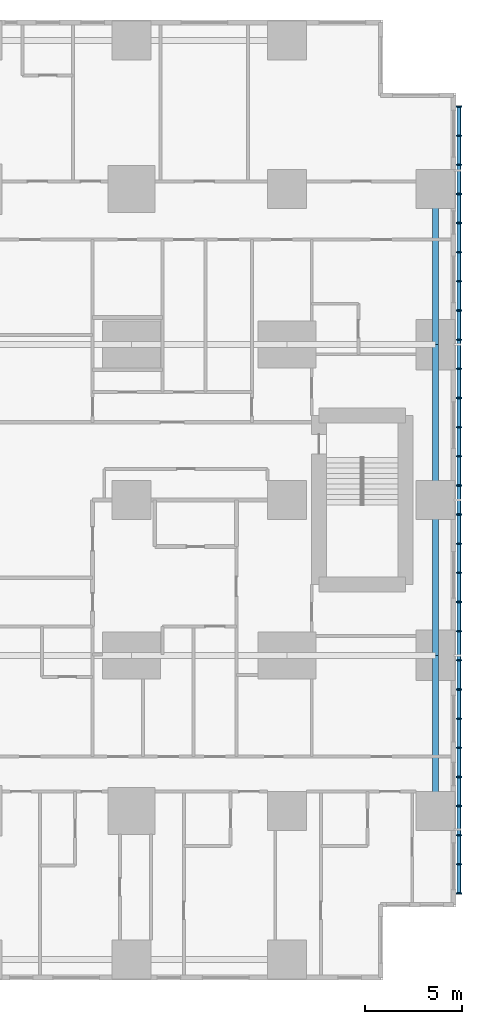
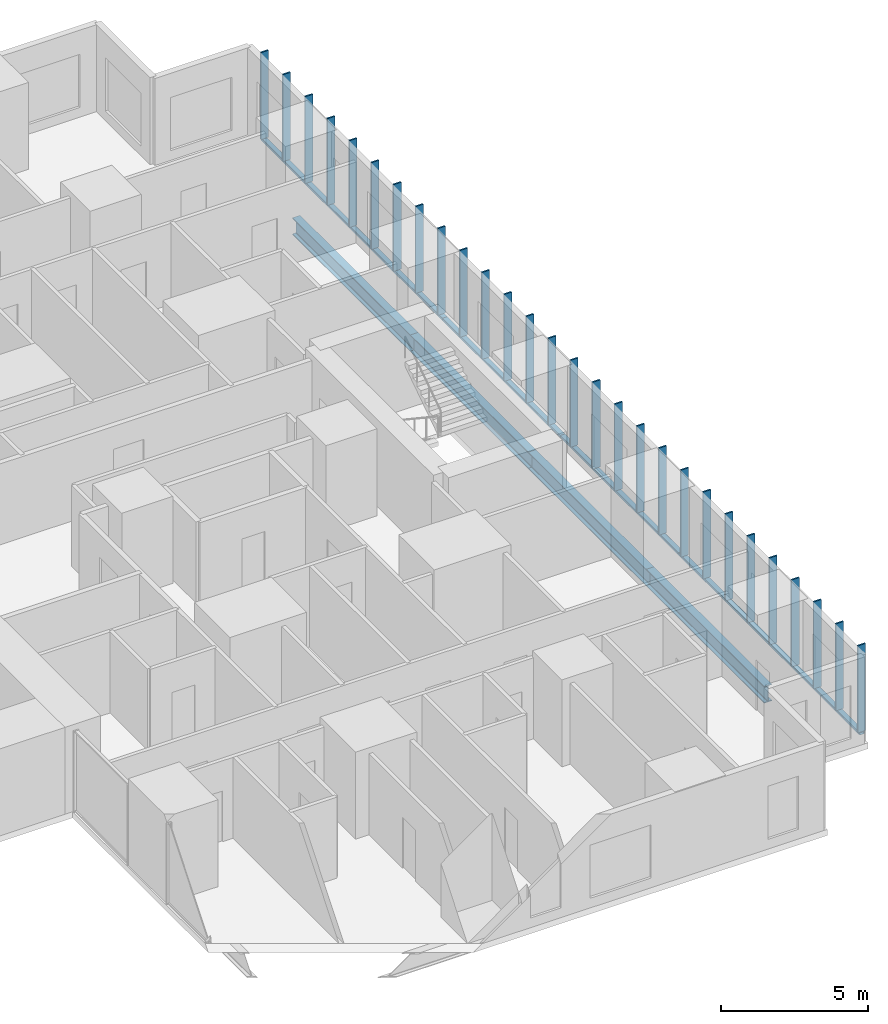
# One storey, part 6 of 21: 32 members, 4 beams.
"""IFC4 building model written with IfcOpenShell, lengths in metres."""

from ifc_helpers import new_model, si_unit, direction, frame, origin, origin_2d, place, context, subcontext, project, spatial, rectangle, hollow_rectangle, i_section, extrude, material, material_profile, profile_set, type_object, element, save


model = new_model("IFC4")

# Units and contexts
model_context = context("Model", 3, precision=1e-05, world=origin(), true_north=direction((0.0, 1.0)))
body_context = subcontext(model_context, "Body", "Model", "MODEL_VIEW")
ifc_project = project(units=[si_unit("LENGTHUNIT", "METRE"), si_unit("AREAUNIT", "SQUARE_METRE"), si_unit("VOLUMEUNIT", "CUBIC_METRE"), si_unit("PLANEANGLEUNIT", "RADIAN"), si_unit("MASSUNIT", "GRAM", prefix="KILO")], contexts=[model_context])

# Site, building, storey
site_placement = place(None, origin())
site = spatial("IfcSite", under=ifc_project, at=site_placement, CompositionType="ELEMENT")
building_placement = place(site_placement, origin())
building = spatial("IfcBuilding", under=site, at=building_placement, Name="Cleftline Residences", CompositionType="ELEMENT")
storey_placement = place(building_placement, frame((0.0, 0.0, 125.0)))
storey = spatial("IfcBuildingStorey", under=building, at=storey_placement, Name="L32", CompositionType="ELEMENT", Elevation=125.0)

# Members
ifc_material_1 = material(Name="Steel S355, hot-dip galvanised", Category="steel")
ifc_material_profile_1 = material_profile(ifc_material_1, hollow_rectangle(XDim=0.10009765625, YDim=0.199951171875, WallThickness=0.008056640625, InnerFilletRadius=0.008056640625, OuterFilletRadius=0.011962890625, at=origin_2d()))
ifc_profile_set_1 = profile_set([ifc_material_profile_1], Name="Steel S355, hot-dip galvanised")
member_type_1 = type_object("IfcMemberType", Name="BAGUETTE CARRIER RHS 200X100X8", PredefinedType="USERDEFINED", material=ifc_profile_set_1)
member_1_placement = place(storey_placement, frame((66.85009765625, 3.699951171875, -0.050048828125), z_axis=(0.0, 1.0, 0.0), x_axis=(0.0, 0.0, 1.0)))
element("IfcMember", 1, at=member_1_placement, inside=storey, type_object=member_type_1, Name="Baguette carrier", ObjectType="BAGUETTE CARRIER", PredefinedType="USERDEFINED", context=body_context, shape_type="SweptSolid", body=[
    extrude(hollow_rectangle(XDim=0.10009765625, YDim=0.199951171875, WallThickness=0.008056640625, InnerFilletRadius=0.008056640625, OuterFilletRadius=0.011962890625, at=origin_2d()), origin(), (0.0, 0.0, 1.0), 12.300048828125),
])
for number, where, z_axis, x_axis, name in (
    (2, (66.85009765625, 16.0, -0.050048828125), (0.0, 1.0, 0.0), (0.0, 0.0, 1.0), "Baguette carrier"),
    (3, (66.85009765625, 24.0, -0.050048828125), (0.0, 1.0, 0.0), (0.0, 0.0, 1.0), "Baguette carrier"),
):
    element("IfcMember", number, at=place(storey_placement, frame(where, z_axis=z_axis, x_axis=x_axis)), inside=storey, type_object=member_type_1, Name=name, ObjectType="BAGUETTE CARRIER", PredefinedType="USERDEFINED", context=body_context, shape_type="SweptSolid", body=[
        extrude(hollow_rectangle(XDim=0.10009765625, YDim=0.199951171875, WallThickness=0.008056640625, InnerFilletRadius=0.008056640625, OuterFilletRadius=0.011962890625, at=origin_2d()), origin(), (0.0, 0.0, 1.0), 8.0),
    ])
member_2_placement = place(storey_placement, frame((66.85009765625, 32.0, -0.050048828125), z_axis=(0.0, 1.0, 0.0), x_axis=(0.0, 0.0, 1.0)))
element("IfcMember", 4, at=member_2_placement, inside=storey, type_object=member_type_1, Name="Baguette carrier", ObjectType="BAGUETTE CARRIER", PredefinedType="USERDEFINED", context=body_context, shape_type="SweptSolid", body=[
    extrude(hollow_rectangle(XDim=0.10009765625, YDim=0.199951171875, WallThickness=0.008056640625, InnerFilletRadius=0.008056640625, OuterFilletRadius=0.011962890625, at=origin_2d()), origin(), (0.0, 0.0, 1.0), 12.300048828125),
])

# Beams
ifc_material_2 = material(Name="Steel S355", Category="steel")
ifc_material_profile_2 = material_profile(ifc_material_2, i_section(OverallWidth=0.300048828125, OverallDepth=0.699951171875, WebThickness=0.01708984375, FlangeThickness=0.031982421875, FilletRadius=0.027099609375, at=origin_2d()))
ifc_profile_set_2 = profile_set([ifc_material_profile_2], Name="Steel S355")
beam_type = type_object("IfcBeamType", Name="BEAM HEB 700", PredefinedType="BEAM", material=ifc_profile_set_2)
for number, where, z_axis, x_axis, name in (
    (5, (65.64990234375, 8.0, -0.60009765625), (0.0, 1.0, 0.0), (-1.0, 0.0, 0.0), "Edge beam"),
    (6, (65.64990234375, 16.0, -0.60009765625), (0.0, 1.0, 0.0), (-1.0, 0.0, 0.0), "Edge beam"),
    (7, (65.64990234375, 24.0, -0.60009765625), (0.0, 1.0, 0.0), (-1.0, 0.0, 0.0), "Edge beam"),
    (8, (65.64990234375, 32.0, -0.60009765625), (0.0, 1.0, 0.0), (-1.0, 0.0, 0.0), "Edge beam"),
):
    element("IfcBeam", number, at=place(storey_placement, frame(where, z_axis=z_axis, x_axis=x_axis)), inside=storey, type_object=beam_type, Name=name, PredefinedType="BEAM", context=body_context, shape_type="SweptSolid", body=[
        extrude(i_section(OverallWidth=0.300048828125, OverallDepth=0.699951171875, WebThickness=0.01708984375, FlangeThickness=0.031982421875, FilletRadius=0.027099609375, at=origin_2d()), origin(), (0.0, 0.0, 1.0), 8.0),
    ])

# Members
ifc_material_3 = material(Name="Extruded terracotta", Category="masonry")
ifc_material_profile_3 = material_profile(ifc_material_3, rectangle(XDim=0.06005859375, YDim=0.300048828125, at=origin_2d()))
ifc_profile_set_3 = profile_set([ifc_material_profile_3], Name="Extruded terracotta")
member_type_2 = type_object("IfcMemberType", Name="TERRACOTTA BAGUETTE 60X300", PredefinedType="USERDEFINED", material=ifc_profile_set_3)
for number, where, z_axis, x_axis, name in (
    (9, (66.85009765625, 3.75, 0.0), (0.0, 0.0, 1.0), (0.0, 1.0, 0.0), "Terracotta baguette"),
    (10, (66.85009765625, 5.25, 0.0), (0.0, 0.0, 1.0), (0.0, 1.0, 0.0), "Terracotta baguette"),
    (11, (66.85009765625, 6.75, 0.0), (0.0, 0.0, 1.0), (0.0, 1.0, 0.0), "Terracotta baguette"),
    (12, (66.85009765625, 8.25, 0.0), (0.0, 0.0, 1.0), (0.0, 1.0, 0.0), "Terracotta baguette"),
    (13, (66.85009765625, 9.75, 0.0), (0.0, 0.0, 1.0), (0.0, 1.0, 0.0), "Terracotta baguette"),
    (14, (66.85009765625, 11.25, 0.0), (0.0, 0.0, 1.0), (0.0, 1.0, 0.0), "Terracotta baguette"),
    (15, (66.85009765625, 12.75, 0.0), (0.0, 0.0, 1.0), (0.0, 1.0, 0.0), "Terracotta baguette"),
    (16, (66.85009765625, 14.25, 0.0), (0.0, 0.0, 1.0), (0.0, 1.0, 0.0), "Terracotta baguette"),
    (17, (66.85009765625, 15.75, 0.0), (0.0, 0.0, 1.0), (0.0, 1.0, 0.0), "Terracotta baguette"),
    (18, (66.85009765625, 17.25, 0.0), (0.0, 0.0, 1.0), (0.0, 1.0, 0.0), "Terracotta baguette"),
    (19, (66.85009765625, 18.75, 0.0), (0.0, 0.0, 1.0), (0.0, 1.0, 0.0), "Terracotta baguette"),
    (20, (66.85009765625, 20.25, 0.0), (0.0, 0.0, 1.0), (0.0, 1.0, 0.0), "Terracotta baguette"),
    (21, (66.85009765625, 21.75, 0.0), (0.0, 0.0, 1.0), (0.0, 1.0, 0.0), "Terracotta baguette"),
    (22, (66.85009765625, 23.25, 0.0), (0.0, 0.0, 1.0), (0.0, 1.0, 0.0), "Terracotta baguette"),
    (23, (66.85009765625, 24.75, 0.0), (0.0, 0.0, 1.0), (0.0, 1.0, 0.0), "Terracotta baguette"),
    (24, (66.85009765625, 26.25, 0.0), (0.0, 0.0, 1.0), (0.0, 1.0, 0.0), "Terracotta baguette"),
    (25, (66.85009765625, 27.75, 0.0), (0.0, 0.0, 1.0), (0.0, 1.0, 0.0), "Terracotta baguette"),
    (26, (66.85009765625, 29.25, 0.0), (0.0, 0.0, 1.0), (0.0, 1.0, 0.0), "Terracotta baguette"),
    (27, (66.85009765625, 30.75, 0.0), (0.0, 0.0, 1.0), (0.0, 1.0, 0.0), "Terracotta baguette"),
    (28, (66.85009765625, 32.25, 0.0), (0.0, 0.0, 1.0), (0.0, 1.0, 0.0), "Terracotta baguette"),
    (29, (66.85009765625, 33.75, 0.0), (0.0, 0.0, 1.0), (0.0, 1.0, 0.0), "Terracotta baguette"),
    (30, (66.85009765625, 35.25, 0.0), (0.0, 0.0, 1.0), (0.0, 1.0, 0.0), "Terracotta baguette"),
    (31, (66.85009765625, 36.75, 0.0), (0.0, 0.0, 1.0), (0.0, 1.0, 0.0), "Terracotta baguette"),
    (32, (66.85009765625, 38.25, 0.0), (0.0, 0.0, 1.0), (0.0, 1.0, 0.0), "Terracotta baguette"),
    (33, (66.85009765625, 39.75, 0.0), (0.0, 0.0, 1.0), (0.0, 1.0, 0.0), "Terracotta baguette"),
    (34, (66.85009765625, 41.25, 0.0), (0.0, 0.0, 1.0), (0.0, 1.0, 0.0), "Terracotta baguette"),
    (35, (66.85009765625, 42.75, 0.0), (0.0, 0.0, 1.0), (0.0, 1.0, 0.0), "Terracotta baguette"),
    (36, (66.85009765625, 44.25, 0.0), (0.0, 0.0, 1.0), (0.0, 1.0, 0.0), "Terracotta baguette"),
):
    element("IfcMember", number, at=place(storey_placement, frame(where, z_axis=z_axis, x_axis=x_axis)), inside=storey, type_object=member_type_2, Name=name, ObjectType="BAGUETTE", PredefinedType="USERDEFINED", context=body_context, shape_type="SweptSolid", body=[
        extrude(rectangle(XDim=0.06005859375, YDim=0.300048828125, at=origin_2d()), origin(), (0.0, 0.0, 1.0), 3.60009765625),
    ])

save(model, "model.ifc")
